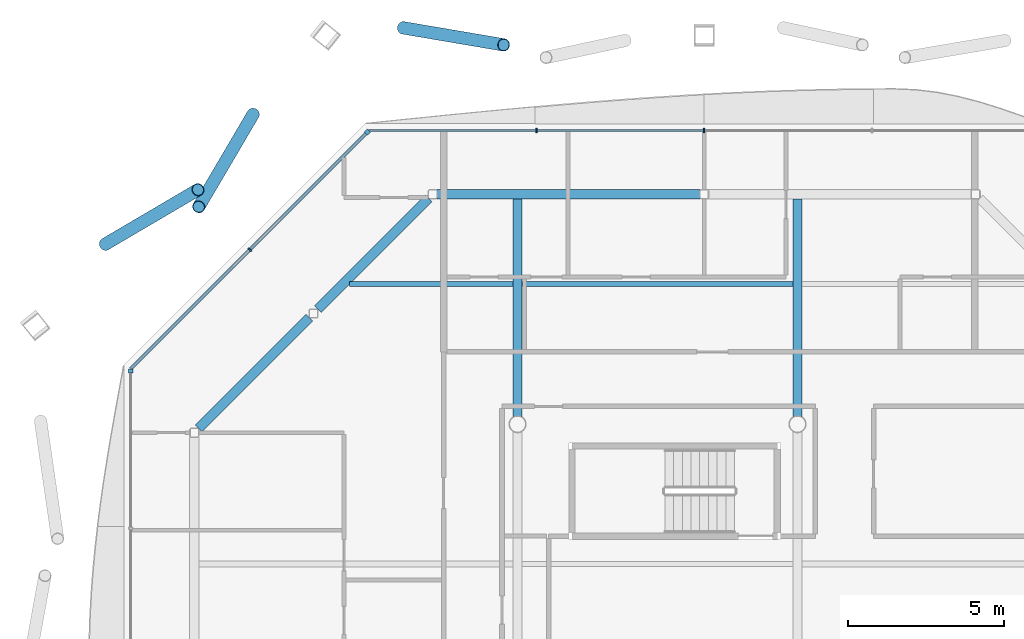
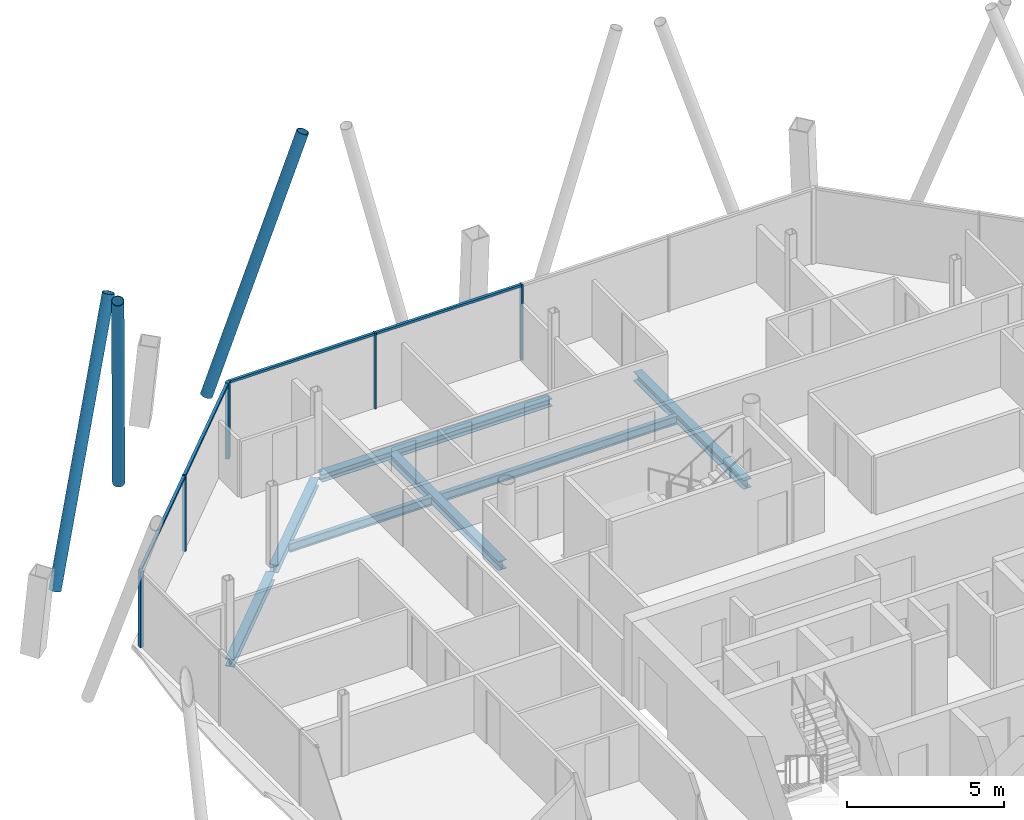
# One storey, part 9 of 17: 12 members, 7 beams, 3 elements without a shape of their own.
"""IFC4 building model written with IfcOpenShell, lengths in metres."""

import ifcopenshell
import ifcopenshell.guid

model = None  # the IFC model being written
_history = None  # IfcOwnerHistory: only IFC2X3 demands one
_inside = {}  # id of a spatial element -> (the spatial element, [elements in it])
_under = {}  # id of a project, library or spatial element -> (it, [spatial elements below it])
_declared = {}  # id of a project -> (the project, [libraries it declares])
_typed = {}  # id of a type object -> (the type object, [elements of that type])
_made_of = {}  # id of a material, layer set ... -> (it, [elements and type objects made of it])


def new_model(schema):
    """Start an empty IFC model of exactly this schema.

    Asked for "IFC4X3", IfcOpenShell would pick the latest addendum, in which some entities
    have other attributes; the version numbers below select the first issue.
    IFC2X3 requires an IfcOwnerHistory on every rooted entity: one is made here for all.
    """
    global model, _history
    if schema == "IFC4X3":
        model = ifcopenshell.file(schema_version=(4, 3, 0, 0))
    else:
        model = ifcopenshell.file(schema=schema)
    _inside.clear()
    _under.clear()
    _declared.clear()
    _typed.clear()
    _made_of.clear()
    _history = None
    if model.schema == "IFC2X3":
        org = make("IfcOrganization", Name="unknown")
        user = make(
            "IfcPersonAndOrganization",
            ThePerson=make("IfcPerson", FamilyName="unknown"),
            TheOrganization=org,
        )
        app = make(
            "IfcApplication",
            ApplicationDeveloper=org,
            Version="unknown",
            ApplicationFullName="unknown",
            ApplicationIdentifier="unknown",
        )
        _history = make(
            "IfcOwnerHistory",
            OwningUser=user,
            OwningApplication=app,
            ChangeAction="ADDED",
            CreationDate=0,
        )
    return model


def make(cls, **values):
    """One entity of the class cls with the attributes given. An attribute that is None is left unset."""
    return model.create_entity(
        cls, **{name: value for name, value in values.items() if value is not None}
    )


def rooted(cls, **values):
    """An entity with a GlobalId (a new one), such as an element, a storey or a relation."""
    return make(cls, GlobalId=ifcopenshell.guid.new(), OwnerHistory=_history, **values)


def si_unit(unit_type, name, prefix=None):
    """IfcSIUnit, for example si_unit("LENGTHUNIT", "METRE", prefix="MILLI")."""
    return make("IfcSIUnit", UnitType=unit_type, Prefix=prefix, Name=name)


def assignment(units):
    """IfcUnitAssignment: the units of a project."""
    return None if units is None else make("IfcUnitAssignment", Units=units)


def point(xyz):
    """IfcCartesianPoint."""
    return None if xyz is None else make("IfcCartesianPoint", Coordinates=xyz)


def direction(xyz):
    """IfcDirection."""
    return None if xyz is None else make("IfcDirection", DirectionRatios=xyz)


def frame(location, z_axis=None, x_axis=None):
    """IfcAxis2Placement3D, a coordinate frame: its origin and axes. An axis left out is left unset."""
    return make(
        "IfcAxis2Placement3D",
        Location=point(location),
        Axis=direction(z_axis),
        RefDirection=direction(x_axis),
    )


def frame_2d(location, x_axis=None):
    """IfcAxis2Placement2D, a coordinate frame in the plane: its origin and x axis."""
    return make(
        "IfcAxis2Placement2D", Location=point(location), RefDirection=direction(x_axis)
    )


def origin():
    """The frame at (0, 0, 0) with its axes left unset."""
    return frame((0.0, 0.0, 0.0))


def origin_2d():
    """The frame at (0, 0) in the plane with its x axis left unset."""
    return frame_2d((0.0, 0.0))


def place(relative_to, where):
    """IfcLocalPlacement: puts the frame where relative to a parent placement (None: the world)."""
    return make(
        "IfcLocalPlacement", PlacementRelTo=relative_to, RelativePlacement=where
    )


def context(
    kind, dimensions, precision=None, world=None, true_north=None, identifier=None
):
    """IfcGeometricRepresentationContext, for example the 3D "Model" context."""
    return make(
        "IfcGeometricRepresentationContext",
        ContextIdentifier=identifier,
        ContextType=kind,
        CoordinateSpaceDimension=dimensions,
        Precision=precision,
        WorldCoordinateSystem=world,
        TrueNorth=true_north,
    )


def subcontext(parent, identifier, kind, view, scale=None):
    """IfcGeometricRepresentationSubContext, for example "Body" below "Model"."""
    return make(
        "IfcGeometricRepresentationSubContext",
        ContextIdentifier=identifier,
        ContextType=kind,
        ParentContext=parent,
        TargetScale=scale,
        TargetView=view,
    )


def project(units=None, contexts=None):
    """IfcProject with its units and contexts."""
    return rooted(
        "IfcProject",
        Name="project",
        RepresentationContexts=contexts,
        UnitsInContext=assignment(units),
    )


def spatial(cls, under=None, at=None, **own):
    """A site, building, storey or space (cls), placed at a placement, below another one or the project."""
    s = rooted(cls, ObjectPlacement=at, **own)
    if under is not None:
        _under.setdefault(under.id(), (under, []))[1].append(s)
    return s


def profile(cls, at=None, kind="AREA", **sizes):
    """A parametric profile (cls). Its sizes go by their IFC names, for example OverallWidth=200.0."""
    return make(cls, ProfileType=kind, Position=at, **sizes)


def rectangle(**sizes):
    """IfcRectangleProfileDef."""
    return profile("IfcRectangleProfileDef", **sizes)


def hollow_circle(**sizes):
    """IfcCircleHollowProfileDef."""
    return profile("IfcCircleHollowProfileDef", **sizes)


def i_section(**sizes):
    """IfcIShapeProfileDef."""
    return profile("IfcIShapeProfileDef", **sizes)


def extrude(swept, where, along, depth):
    """IfcExtrudedAreaSolid: the profile swept, set in the frame where, extruded along a direction by depth."""
    return make(
        "IfcExtrudedAreaSolid",
        SweptArea=swept,
        Position=where,
        ExtrudedDirection=direction(along),
        Depth=depth,
    )


def shape(context_of_items, identifier, shape_type, items):
    """IfcShapeRepresentation: the items that make up one representation, for example the "Body"."""
    return make(
        "IfcShapeRepresentation",
        ContextOfItems=context_of_items,
        RepresentationIdentifier=identifier,
        RepresentationType=shape_type,
        Items=items,
    )


def material(Name=None, Category=None):
    """IfcMaterial."""
    return make("IfcMaterial", Name=Name, Category=Category)


def material_profile(
    of_material, cross_section, Name=None, Category=None, Priority=None
):
    """IfcMaterialProfile: a cross section and its material."""
    return make(
        "IfcMaterialProfile",
        Name=Name,
        Material=of_material,
        Profile=cross_section,
        Priority=Priority,
        Category=Category,
    )


def profile_set(profiles, Name=None, composite=None):
    """IfcMaterialProfileSet."""
    return make(
        "IfcMaterialProfileSet",
        Name=Name,
        MaterialProfiles=profiles,
        CompositeProfile=composite,
    )


def made_of(thing, what):
    """Note that an element or type object is made of a material, layer set ...; save() writes the relation."""
    if what is not None:
        _made_of.setdefault(what.id(), (what, []))[1].append(thing)
    return thing


def type_object(cls, material=None, **own):
    """A type object (cls), such as IfcWallType, which elements share."""
    return made_of(rooted(cls, **own), material)


def element(
    cls,
    number,
    at=None,
    inside=None,
    cuts=None,
    type_object=None,
    material=None,
    context=None,
    identifier="Body",
    shape_type=None,
    held_by="IfcProductDefinitionShape",
    body=None,
    shapes=None,
    **own,
):
    """One element of the class cls, such as IfcWall. Its Tag is "e" and its number.

    at: its placement. inside: the storey or other place that contains it. cuts: it is an
    opening in that element (IfcRelVoidsElement). A single representation is given by context,
    identifier, shape_type and body (its items); several are given by shapes. held_by: the class
    of the entity that holds the representations. save() writes the other relations.
    """
    e = rooted(cls, Tag="e%d" % number, ObjectPlacement=at, **own)
    if body is not None:
        shapes = [shape(context, identifier, shape_type, body)]
    if shapes is not None:
        e.Representation = make(held_by, Representations=shapes)
    if inside is not None:
        _inside.setdefault(inside.id(), (inside, []))[1].append(e)
    if cuts is not None:
        rooted(
            "IfcRelVoidsElement", RelatingBuildingElement=cuts, RelatedOpeningElement=e
        )
    if type_object is not None:
        _typed.setdefault(type_object.id(), (type_object, []))[1].append(e)
    return made_of(e, material)


def aggregate(whole, parts):
    """IfcRelAggregates: a whole, such as a stair, and the parts it consists of."""
    return rooted("IfcRelAggregates", RelatingObject=whole, RelatedObjects=parts)


def save(model, path):
    """Write the relations noted so far, then the file.

    IfcRelAggregates (storeys below a building ...), IfcRelContainedInSpatialStructure (elements
    in a storey), IfcRelDefinesByType, IfcRelAssociatesMaterial and IfcRelDeclares: one each for
    every whole, place, type object, material and project.
    """
    for whole, parts in _under.values():
        aggregate(whole, parts)
    for where, things in _inside.values():
        rooted(
            "IfcRelContainedInSpatialStructure",
            RelatedElements=things,
            RelatingStructure=where,
        )
    for kind, things in _typed.values():
        rooted("IfcRelDefinesByType", RelatedObjects=things, RelatingType=kind)
    for what, things in _made_of.values():
        rooted("IfcRelAssociatesMaterial", RelatedObjects=things, RelatingMaterial=what)
    for by, libraries in _declared.values():
        rooted("IfcRelDeclares", RelatingContext=by, RelatedDefinitions=libraries)
    model.write(path)


model = new_model("IFC4")

# Units and contexts
model_context = context("Model", 3, precision=1e-05, world=origin(), true_north=direction((0.0, 1.0)))
body_context = subcontext(model_context, "Body", "Model", "MODEL_VIEW")
ifc_project = project(units=[si_unit("LENGTHUNIT", "METRE"), si_unit("AREAUNIT", "SQUARE_METRE"), si_unit("VOLUMEUNIT", "CUBIC_METRE"), si_unit("PLANEANGLEUNIT", "RADIAN"), si_unit("MASSUNIT", "GRAM", prefix="KILO")], contexts=[model_context])

# Site, building, storey
site_placement = place(None, origin())
site = spatial("IfcSite", under=ifc_project, at=site_placement, CompositionType="ELEMENT")
building_placement = place(site_placement, origin())
building = spatial("IfcBuilding", under=site, at=building_placement, Name="Tskaro Facet Tower", CompositionType="ELEMENT")
storey_placement = place(building_placement, frame((0.0, 0.0, 226.64990234375)))
storey = spatial("IfcBuildingStorey", under=building, at=storey_placement, Name="L58", CompositionType="ELEMENT", Elevation=226.64990234375)

# Members
ifc_material_1 = material(Name="Steel S355J2H", Category="steel")
ifc_material_profile_1 = material_profile(ifc_material_1, hollow_circle(Radius=0.203125, WallThickness=0.02001953125, at=origin_2d()), Name="CHS 406.4x20")
ifc_profile_set_1 = profile_set([ifc_material_profile_1], Name="Steel S355J2H")
member_type_1 = type_object("IfcMemberType", Name="CHS 406.4x20 brace", PredefinedType="BRACE", material=ifc_profile_set_1)
member_1_placement = place(storey_placement, frame((-12.67041015625, 21.740234375, 0.0), z_axis=(0.322343968524, -0.054810437729, 0.945034487134), x_axis=(0.167631053767, 0.985849800838, 0.0)))
element("IfcMember", 1, at=member_1_placement, inside=storey, type_object=member_type_1, Name="CHS 406.4x20 XB08B/5", PredefinedType="BRACE", context=body_context, shape_type="SweptSolid", body=[
    extrude(hollow_circle(Radius=0.203125, WallThickness=0.02001953125, at=origin_2d()), origin(), (0.0, 0.0, 1.0), 9.999755859375),
])
for number, where, z_axis, x_axis, name in (
    (2, (-17.5, 18.964111328125, 0.0), (-0.173907489652, -0.295912074272, 0.939250887326), (0.86213587545, -0.506677147958, 0.0), "CHS 406.4x20 XB09A/5"),
    (3, (-22.25146484375, 14.787353515625, 0.0), (0.295912074272, 0.173907489652, 0.939250887326), (-0.506677147958, 0.86213587545, 0.0), "CHS 406.4x20 XB09B/5"),
):
    element("IfcMember", number, at=place(storey_placement, frame(where, z_axis=z_axis, x_axis=x_axis)), inside=storey, type_object=member_type_1, Name=name, PredefinedType="BRACE", context=body_context, shape_type="SweptSolid", body=[
        extrude(hollow_circle(Radius=0.203125, WallThickness=0.02001953125, at=origin_2d()), origin(), (0.0, 0.0, 1.0), 10.0615234375),
    ])

# Curtain wall, member
ifc_material_2 = material(Name="Bronze anodised aluminium 6063-T6", Category="aluminium")
curtain_wall_type = type_object("IfcCurtainWallType", Name="Bronze residence curtain wall (FW3)", PredefinedType="NOTDEFINED", material=ifc_material_2)
curtain_wall_1_placement = place(storey_placement, origin())
curtain_wall_1 = element("IfcCurtainWall", 4, at=curtain_wall_1_placement, inside=storey, type_object=curtain_wall_type, Name="FW3 north-west facet L58", PredefinedType="NOTDEFINED")
ifc_material_profile_2 = material_profile(ifc_material_2, rectangle(XDim=0.139892578125, YDim=0.139892578125, at=origin_2d()), Name="Corner post 140x140")
ifc_profile_set_2 = profile_set([ifc_material_profile_2], Name="Bronze anodised aluminium 6063-T6")
member_type_2 = type_object("IfcMemberType", Name="FW3 bronze corner post 140x140", PredefinedType="MULLION", material=ifc_profile_set_2)
member_2_placement = place(storey_placement, frame((-13.82861328125, 18.387451171875, 0.0), z_axis=(0.0, 0.0, 1.0), x_axis=(-0.707106781187, -0.707106781187, 0.0)))
member_2 = element("IfcMember", 5, at=member_2_placement, type_object=member_type_2, Name="FW3 north-west corner post", PredefinedType="MULLION", context=body_context, shape_type="SweptSolid", body=[
    extrude(rectangle(XDim=0.139892578125, YDim=0.139892578125, at=origin_2d()), origin(), (0.0, 0.0, 1.0), 2.9501953125),
])

curtain_wall_2_placement = place(storey_placement, origin())
curtain_wall_2 = element("IfcCurtainWall", 6, at=curtain_wall_2_placement, inside=storey, type_object=curtain_wall_type, Name="FW3 west facet L58", PredefinedType="NOTDEFINED")
member_3_placement = place(storey_placement, frame((-21.43701171875, 10.708984375, 0.0), z_axis=(0.0, 0.0, 1.0), x_axis=(0.0, -1.0, 0.0)))
member_3 = element("IfcMember", 7, at=member_3_placement, type_object=member_type_2, Name="FW3 west corner post", PredefinedType="MULLION", context=body_context, shape_type="SweptSolid", body=[
    extrude(rectangle(XDim=0.139892578125, YDim=0.139892578125, at=origin_2d()), origin(), (0.0, 0.0, 1.0), 2.9501953125),
])
aggregate(curtain_wall_2, [member_3])

# Curtain wall, members
curtain_wall_3_placement = place(storey_placement, origin())
curtain_wall_3 = element("IfcCurtainWall", 8, at=curtain_wall_3_placement, inside=storey, type_object=curtain_wall_type, Name="FW3 north facet L58", PredefinedType="NOTDEFINED")
ifc_material_profile_3 = material_profile(ifc_material_2, rectangle(XDim=0.050048828125, YDim=0.139892578125, at=origin_2d()), Name="Mullion 50x140")
ifc_profile_set_3 = profile_set([ifc_material_profile_3], Name="Bronze anodised aluminium 6063-T6")
member_type_3 = type_object("IfcMemberType", Name="FW3 bronze mullion 50x140", PredefinedType="MULLION", material=ifc_profile_set_3)
member_4_placement = place(storey_placement, frame((-3.0, 18.43701171875, 0.0), z_axis=(0.0, 0.0, 1.0), x_axis=(-1.0, 0.0, 0.0)))
member_4 = element("IfcMember", 9, at=member_4_placement, type_object=member_type_3, Name="FW3 north mullion 2", PredefinedType="MULLION", context=body_context, shape_type="SweptSolid", body=[
    extrude(rectangle(XDim=0.050048828125, YDim=0.139892578125, at=origin_2d()), origin(), (0.0, 0.0, 1.0), 2.9501953125),
])
member_5_placement = place(storey_placement, frame((-8.389404296875, 18.43701171875, 0.0), z_axis=(0.0, 0.0, 1.0), x_axis=(-1.0, 0.0, 0.0)))
member_5 = element("IfcMember", 10, at=member_5_placement, type_object=member_type_3, Name="FW3 north mullion 3", PredefinedType="MULLION", context=body_context, shape_type="SweptSolid", body=[
    extrude(rectangle(XDim=0.050048828125, YDim=0.139892578125, at=origin_2d()), origin(), (0.0, 0.0, 1.0), 2.9501953125),
])

# Member
member_6_placement = place(storey_placement, frame((-17.60791015625, 14.60791015625, 0.0), z_axis=(0.0, 0.0, 1.0), x_axis=(-0.707106781187, -0.707106781187, 0.0)))
member_6 = element("IfcMember", 11, at=member_6_placement, type_object=member_type_3, Name="FW3 north-west mullion 1", PredefinedType="MULLION", context=body_context, shape_type="SweptSolid", body=[
    extrude(rectangle(XDim=0.050048828125, YDim=0.139892578125, at=origin_2d()), origin(), (0.0, 0.0, 1.0), 2.9501953125),
])

ifc_material_profile_4 = material_profile(ifc_material_2, rectangle(XDim=0.10009765625, YDim=0.090087890625, at=origin_2d()), Name="Transom 100x90")
ifc_profile_set_4 = profile_set([ifc_material_profile_4], Name="Bronze anodised aluminium 6063-T6")
member_type_4 = type_object("IfcMemberType", Name="FW3 bronze transom 100x90", PredefinedType="USERDEFINED", material=ifc_profile_set_4)
member_7_placement = place(storey_placement, frame((-3.02490234375, 18.43701171875, 2.905029296875), z_axis=(-1.0, 0.0, 0.0), x_axis=(0.0, -1.0, 0.0)))
member_7 = element("IfcMember", 12, at=member_7_placement, type_object=member_type_4, Name="FW3 north transom 3.1", ObjectType="TRANSOM", PredefinedType="USERDEFINED", context=body_context, shape_type="SweptSolid", body=[
    extrude(rectangle(XDim=0.10009765625, YDim=0.090087890625, at=origin_2d()), origin(), (0.0, 0.0, 1.0), 5.339599609375),
])

member_8_placement = place(storey_placement, frame((-8.41455078125, 18.43701171875, 2.905029296875), z_axis=(-1.0, 0.0, 0.0), x_axis=(0.0, -1.0, 0.0)))
member_8 = element("IfcMember", 13, at=member_8_placement, type_object=member_type_4, Name="FW3 north transom 4.1", ObjectType="TRANSOM", PredefinedType="USERDEFINED", context=body_context, shape_type="SweptSolid", body=[
    extrude(rectangle(XDim=0.10009765625, YDim=0.090087890625, at=origin_2d()), origin(), (0.0, 0.0, 1.0), 5.364501953125),
])

aggregate(curtain_wall_3, [member_4, member_5, member_7, member_8])

member_9_placement = place(storey_placement, frame((-13.8779296875, 18.337890625, 2.905029296875), z_axis=(-0.707130032482, -0.707083529126, 0.0), x_axis=(0.707083529126, -0.707130032482, 0.0)))
member_9 = element("IfcMember", 14, at=member_9_placement, type_object=member_type_4, Name="FW3 north-west transom 1.1", ObjectType="TRANSOM", PredefinedType="USERDEFINED", context=body_context, shape_type="SweptSolid", body=[
    extrude(rectangle(XDim=0.10009765625, YDim=0.090087890625, at=origin_2d()), origin(), (0.0, 0.0, 1.0), 5.25),
])

member_10_placement = place(storey_placement, frame((-17.625732421875, 14.59033203125, 2.905029296875), z_axis=(-0.707106781187, -0.707106781187, 0.0), x_axis=(0.707106781187, -0.707106781187, 0.0)))
member_10 = element("IfcMember", 15, at=member_10_placement, type_object=member_type_4, Name="FW3 north-west transom 2.1", ObjectType="TRANSOM", PredefinedType="USERDEFINED", context=body_context, shape_type="SweptSolid", body=[
    extrude(rectangle(XDim=0.10009765625, YDim=0.090087890625, at=origin_2d()), origin(), (0.0, 0.0, 1.0), 5.389892578125),
])

aggregate(curtain_wall_1, [member_2, member_6, member_9, member_10])

# Beams
ifc_material_3 = material(Name="Steel S355J2", Category="steel")
ifc_material_profile_5 = material_profile(ifc_material_3, i_section(OverallWidth=0.300048828125, OverallDepth=0.300048828125, WebThickness=0.010986328125, FlangeThickness=0.01904296875, FilletRadius=0.027099609375, at=origin_2d()), Name="HE 300 B")
ifc_profile_set_5 = profile_set([ifc_material_profile_5], Name="Steel S355J2")
beam_type_1 = type_object("IfcBeamType", Name="HE 300 B ring beam", PredefinedType="BEAM", material=ifc_profile_set_5)
beam_1_placement = place(storey_placement, frame((-3.1298828125, 16.39111328125, -0.289794921875), z_axis=(-1.0, 0.0, 0.0), x_axis=(0.0, -1.0, 0.0)))
element("IfcBeam", 16, at=beam_1_placement, inside=storey, type_object=beam_type_1, Name="HE 300 B EB11-5", PredefinedType="BEAM", context=body_context, shape_type="SweptSolid", body=[
    extrude(i_section(OverallWidth=0.300048828125, OverallDepth=0.300048828125, WebThickness=0.010986328125, FlangeThickness=0.01904296875, FilletRadius=0.027099609375, at=origin_2d()), origin(), (0.0, 0.0, 1.0), 8.465087890625),
])
for number, where, z_axis, x_axis, name in (
    (17, (-11.86083984375, 16.255126953125, -0.289794921875), (-0.707106781187, -0.707106781187, 0.0), (0.707106781187, -0.707106781187, 0.0), "HE 300 B EB12-5"),
    (18, (-15.69384765625, 12.422119140625, -0.289794921875), (-0.707106781187, -0.707106781187, 0.0), (0.707106781187, -0.707106781187, 0.0), "HE 300 B EB13-5"),
):
    element("IfcBeam", number, at=place(storey_placement, frame(where, z_axis=z_axis, x_axis=x_axis)), inside=storey, type_object=beam_type_1, Name=name, PredefinedType="BEAM", context=body_context, shape_type="SweptSolid", body=[
        extrude(i_section(OverallWidth=0.300048828125, OverallDepth=0.300048828125, WebThickness=0.010986328125, FlangeThickness=0.01904296875, FilletRadius=0.027099609375, at=origin_2d()), origin(), (0.0, 0.0, 1.0), 5.036376953125),
    ])
ifc_material_profile_6 = material_profile(ifc_material_3, i_section(OverallWidth=0.300048828125, OverallDepth=0.35009765625, WebThickness=0.010009765625, FlangeThickness=0.017578125, FilletRadius=0.027099609375, at=origin_2d()), Name="HE 360 A")
ifc_profile_set_6 = profile_set([ifc_material_profile_6], Name="Steel S355J2")
beam_type_2 = type_object("IfcBeamType", Name="HE 360 A girder", PredefinedType="BEAM", material=ifc_profile_set_6)
for number, where, z_axis, x_axis, name in (
    (19, (-9.0, 9.24951171875, -0.31494140625), (0.0, 1.0, 0.0), (-1.0, 0.0, 0.0), "HE 360 A GB3-3-5"),
    (20, (0.0, 9.24951171875, -0.31494140625), (0.0, 1.0, 0.0), (-1.0, 0.0, 0.0), "HE 360 A GB4-3-5"),
):
    element("IfcBeam", number, at=place(storey_placement, frame(where, z_axis=z_axis, x_axis=x_axis)), inside=storey, type_object=beam_type_2, Name=name, PredefinedType="BEAM", context=body_context, shape_type="SweptSolid", body=[
        extrude(i_section(OverallWidth=0.300048828125, OverallDepth=0.35009765625, WebThickness=0.010009765625, FlangeThickness=0.017578125, FilletRadius=0.027099609375, at=origin_2d()), origin(), (0.0, 0.0, 1.0), 6.991455078125),
    ])
ifc_material_profile_7 = material_profile(ifc_material_3, i_section(OverallWidth=0.159912109375, OverallDepth=0.330078125, WebThickness=0.007568359375, FlangeThickness=0.011474609375, FilletRadius=0.01806640625, at=origin_2d()), Name="IPE 330")
ifc_profile_set_7 = profile_set([ifc_material_profile_7], Name="Steel S355J2")
beam_type_3 = type_object("IfcBeamType", Name="IPE 330 secondary beam", PredefinedType="BEAM", material=ifc_profile_set_7)
beam_2_placement = place(storey_placement, frame((-14.404052734375, 13.5, -0.304931640625), z_axis=(1.0, 0.0, 0.0), x_axis=(0.0, 1.0, 0.0)))
element("IfcBeam", 21, at=beam_2_placement, inside=storey, type_object=beam_type_3, Name="IPE 330 SB5a-1-5", PredefinedType="BEAM", context=body_context, shape_type="SweptSolid", body=[
    extrude(i_section(OverallWidth=0.159912109375, OverallDepth=0.330078125, WebThickness=0.007568359375, FlangeThickness=0.011474609375, FilletRadius=0.01806640625, at=origin_2d()), origin(), (0.0, 0.0, 1.0), 5.254150390625),
])
beam_3_placement = place(storey_placement, frame((-8.85009765625, 13.5, -0.304931640625), z_axis=(1.0, 0.0, 0.0), x_axis=(0.0, 1.0, 0.0)))
element("IfcBeam", 22, at=beam_3_placement, inside=storey, type_object=beam_type_3, Name="IPE 330 SB5a-2-5", PredefinedType="BEAM", context=body_context, shape_type="SweptSolid", body=[
    extrude(i_section(OverallWidth=0.159912109375, OverallDepth=0.330078125, WebThickness=0.007568359375, FlangeThickness=0.011474609375, FilletRadius=0.01806640625, at=origin_2d()), origin(), (0.0, 0.0, 1.0), 8.7001953125),
])

save(model, "model.ifc")
